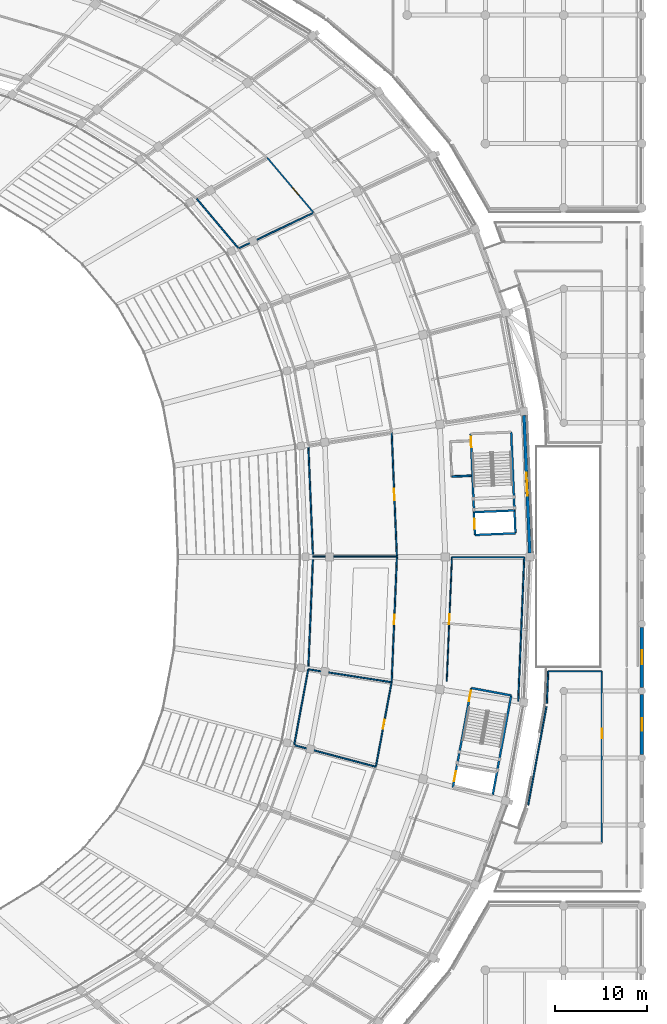
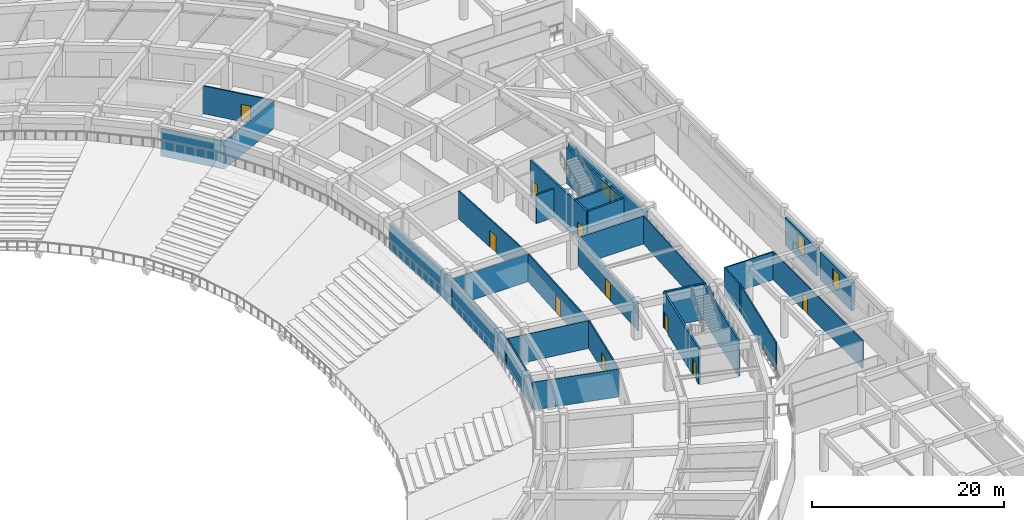
# One storey, part 106 of 152: 30 walls, 10 doors, 3 windows, 13 openings.
"""IFC4 building model written with IfcOpenShell, lengths in metres."""

from ifc_helpers import new_model, si_unit, direction, frame, frame_2d, origin, place, context, subcontext, project, spatial, rectangle, extrude, material, layer, layer_set, type_object, element, fill, save


model = new_model("IFC4")

# Units and contexts
model_context = context("Model", 3, precision=1e-05, world=origin(), true_north=direction((0.0, 1.0)))
body_context = subcontext(model_context, "Body", "Model", "MODEL_VIEW")
ifc_project = project(units=[si_unit("LENGTHUNIT", "METRE"), si_unit("AREAUNIT", "SQUARE_METRE"), si_unit("VOLUMEUNIT", "CUBIC_METRE"), si_unit("PLANEANGLEUNIT", "RADIAN"), si_unit("MASSUNIT", "GRAM", prefix="KILO")], contexts=[model_context])

# Site, building, storey
site_placement = place(None, origin())
site = spatial("IfcSite", under=ifc_project, at=site_placement, CompositionType="ELEMENT")
building_placement = place(site_placement, origin())
building = spatial("IfcBuilding", under=site, at=building_placement, Name="Mphavela Belvedere Stadium", CompositionType="ELEMENT")
storey_placement = place(building_placement, frame((0.0, 0.0, 5.39990234375)))
storey = spatial("IfcBuildingStorey", under=building, at=storey_placement, Name="L01", CompositionType="ELEMENT", Elevation=5.39990234375)

# Walls
ifc_material_1 = material(Name="Concrete C40/50", Category="concrete")
ifc_layer_1 = layer(ifc_material_1, 0.219970703125)
ifc_layer_set_1 = layer_set([ifc_layer_1], Name="Concrete C40/50")
wall_type_1 = type_object("IfcWallType", Name="WAL-CORE-SHEAR-220", PredefinedType="SHEAR", material=ifc_layer_set_1)
wall_1_placement = place(storey_placement, frame((215.771728515625, 100.585205078125, 0.0), z_axis=(0.0, 0.0, 1.0), x_axis=(0.041871977473, -0.999122984173, 0.0)))
element("IfcWall", 1, at=wall_1_placement, inside=storey, type_object=wall_type_1, Name="Core C01 shear wall L01 rear", PredefinedType="SHEAR", context=body_context, shape_type="SweptSolid", body=[
    extrude(rectangle(XDim=11.02001953125, YDim=0.219970703125, at=frame_2d((5.510009765625, 0.0))), origin(), (0.0, 0.0, 1.0), 4.550048828125),
])
wall_2_placement = place(storey_placement, frame((211.826904296875, 89.39013671875, 0.0), z_axis=(0.0, 0.0, 1.0), x_axis=(0.999121521721, 0.041906859039, 0.0)))
element("IfcWall", 2, at=wall_2_placement, inside=storey, type_object=wall_type_1, Name="Core C01 shear wall L01 right", PredefinedType="SHEAR", context=body_context, shape_type="SweptSolid", body=[
    extrude(rectangle(XDim=4.41015625, YDim=0.219970703125, at=frame_2d((2.205078125, 0.0))), origin(), (0.0, 0.0, 1.0), 4.550048828125),
])

# Wall, openings, doors
wall_3_placement = place(storey_placement, frame((211.365478515625, 100.400390625, 0.0), z_axis=(0.0, 0.0, 1.0), x_axis=(0.041871977473, -0.999122984173, 0.0)))
wall_3 = element("IfcWall", 3, at=wall_3_placement, inside=storey, type_object=wall_type_1, Name="Core C01 shear wall L01 front", PredefinedType="SHEAR", context=body_context, shape_type="SweptSolid", body=[
    extrude(rectangle(XDim=11.02001953125, YDim=0.219970703125, at=frame_2d((5.510009765625, 0.0))), origin(), (0.0, 0.0, 1.0), 4.550048828125),
])
opening_1_placement = place(wall_3_placement, frame((0.300048828125, 0.0, 0.0)))
opening_1 = element("IfcOpeningElement", 4, at=opening_1_placement, cuts=wall_3, Name="Opening SD-002", PredefinedType="OPENING", context=body_context, shape_type="SweptSolid", body=[
    extrude(rectangle(XDim=1.14990234375, YDim=2.14990234375, at=frame_2d((0.574951171875, 1.074951171875))), frame((0.0, 0.1201171875, 0.0), z_axis=(0.0, -1.0, 0.0), x_axis=(1.0, 0.0, 0.0)), (0.0, 0.0, 1.0), 0.239990234375),
])
opening_2_placement = place(wall_3_placement, frame((9.22998046875, 0.0, 0.0)))
opening_2 = element("IfcOpeningElement", 5, at=opening_2_placement, cuts=wall_3, Name="Opening LD-002", PredefinedType="OPENING", context=body_context, shape_type="SweptSolid", body=[
    extrude(rectangle(XDim=1.10009765625, YDim=2.14990234375, at=frame_2d((0.550048828125, 1.074951171875))), frame((0.0, 0.1201171875, 0.0), z_axis=(0.0, -1.0, 0.0), x_axis=(1.0, 0.0, 0.0)), (0.0, 0.0, 1.0), 0.239990234375),
])
ifc_material_2 = material(Name="Stainless steel center-parting lift landing door", Category="steel")
door_type_1 = type_object("IfcDoorType", Name="DR-LIFT-SLIDE-1100", OperationType="NOTDEFINED", PredefinedType="DOOR", material=ifc_material_2)
door_1_placement = place(opening_2_placement, origin())
door_1 = element("IfcDoor", 6, at=door_1_placement, inside=storey, type_object=door_type_1, Name="Lift landing sliding door FL01 L01", OperationType="DOUBLE_DOOR_SLIDING", OverallHeight=2.14990234375, OverallWidth=1.10009765625, PredefinedType="DOOR", context=body_context, shape_type="SweptSolid", body=[
    extrude(rectangle(XDim=1.10009765625, YDim=2.14990234375, at=frame_2d((0.550048828125, 1.074951171875))), frame((0.0, 0.02490234375, 0.0), z_axis=(0.0, -1.0, 0.0), x_axis=(1.0, 0.0, 0.0)), (0.0, 0.0, 1.0), 0.050048828125),
])
fill(opening_2, door_1)
ifc_material_3 = material(Name="Steel acoustic fire-resisting stair doorset", Category="steel")
door_type_2 = type_object("IfcDoorType", Name="DR-STAIR-FIRE-1150", OperationType="NOTDEFINED", PredefinedType="DOOR", material=ifc_material_3)
door_2_placement = place(opening_1_placement, origin())
door_2 = element("IfcDoor", 7, at=door_2_placement, inside=storey, type_object=door_type_2, Name="Escape stair fire door C01 L01", OperationType="SINGLE_SWING_LEFT", OverallHeight=2.14990234375, OverallWidth=1.14990234375, PredefinedType="DOOR", context=body_context, shape_type="SweptSolid", body=[
    extrude(rectangle(XDim=1.14990234375, YDim=2.14990234375, at=frame_2d((0.574951171875, 1.074951171875))), frame((0.0, 0.02490234375, 0.0), z_axis=(0.0, -1.0, 0.0), x_axis=(1.0, 0.0, 0.0)), (0.0, 0.0, 1.0), 0.050048828125),
])
fill(opening_1, door_2)

# Walls
wall_4_placement = place(storey_placement, frame((211.72314453125, 91.867919921875, 0.0), z_axis=(0.0, 0.0, 1.0), x_axis=(0.999121521721, 0.041906859039, 0.0)))
element("IfcWall", 8, at=wall_4_placement, inside=storey, type_object=wall_type_1, Name="Core C01 shear wall L01 div", PredefinedType="SHEAR", context=body_context, shape_type="SweptSolid", body=[
    extrude(rectangle(XDim=4.41015625, YDim=0.219970703125, at=frame_2d((2.205078125, 0.0))), origin(), (0.0, 0.0, 1.0), 4.550048828125),
])
wall_5_placement = place(storey_placement, frame((215.771728515625, 71.914794921875, 0.0), z_axis=(0.0, 0.0, 1.0), x_axis=(-0.182574755222, -0.983191974517, 0.0)))
element("IfcWall", 9, at=wall_5_placement, inside=storey, type_object=wall_type_1, Name="Core C12 shear wall L01 rear", PredefinedType="SHEAR", context=body_context, shape_type="SweptSolid", body=[
    extrude(rectangle(XDim=11.02001953125, YDim=0.219970703125, at=frame_2d((5.510009765625, 0.0))), origin(), (0.0, 0.0, 1.0), 4.550048828125),
])
wall_6_placement = place(storey_placement, frame((211.43603515625, 72.72021484375, 0.0), z_axis=(0.0, 0.0, 1.0), x_axis=(0.983179789985, -0.182640358532, 0.0)))
element("IfcWall", 10, at=wall_6_placement, inside=storey, type_object=wall_type_1, Name="Core C12 shear wall L01 left", PredefinedType="SHEAR", context=body_context, shape_type="SweptSolid", body=[
    extrude(rectangle(XDim=4.409912109375, YDim=0.219970703125, at=frame_2d((2.205078125, 0.0))), origin(), (0.0, 0.0, 1.0), 4.550048828125),
])

# Wall, openings, doors
wall_7_placement = place(storey_placement, frame((211.43603515625, 72.72021484375, 0.0), z_axis=(0.0, 0.0, 1.0), x_axis=(-0.182570778451, -0.983192712979, 0.0)))
wall_7 = element("IfcWall", 11, at=wall_7_placement, inside=storey, type_object=wall_type_1, Name="Core C12 shear wall L01 front", PredefinedType="SHEAR", context=body_context, shape_type="SweptSolid", body=[
    extrude(rectangle(XDim=11.020263671875, YDim=0.219970703125, at=frame_2d((5.51025390625, 0.0))), origin(), (0.0, 0.0, 1.0), 4.550048828125),
])
opening_3_placement = place(wall_7_placement, frame((0.300048828125, 0.0, 0.0)))
opening_3 = element("IfcOpeningElement", 12, at=opening_3_placement, cuts=wall_7, Name="Opening SD-063", PredefinedType="OPENING", context=body_context, shape_type="SweptSolid", body=[
    extrude(rectangle(XDim=1.14990234375, YDim=2.14990234375, at=frame_2d((0.574951171875, 1.074951171875))), frame((0.0, 0.1201171875, 0.0), z_axis=(0.0, -1.0, 0.0), x_axis=(1.0, 0.0, 0.0)), (0.0, 0.0, 1.0), 0.239990234375),
])
opening_4_placement = place(wall_7_placement, frame((9.22998046875, 0.0, 0.0)))
opening_4 = element("IfcOpeningElement", 13, at=opening_4_placement, cuts=wall_7, Name="Opening LD-063", PredefinedType="OPENING", context=body_context, shape_type="SweptSolid", body=[
    extrude(rectangle(XDim=1.10009765625, YDim=2.14990234375, at=frame_2d((0.550048828125, 1.074951171875))), frame((0.0, 0.1201171875, 0.0), z_axis=(0.0, -1.0, 0.0), x_axis=(1.0, 0.0, 0.0)), (0.0, 0.0, 1.0), 0.239990234375),
])
door_3_placement = place(opening_4_placement, origin())
door_3 = element("IfcDoor", 14, at=door_3_placement, inside=storey, type_object=door_type_1, Name="Lift landing sliding door PL06 L01", OperationType="DOUBLE_DOOR_SLIDING", OverallHeight=2.14990234375, OverallWidth=1.10009765625, PredefinedType="DOOR", context=body_context, shape_type="SweptSolid", body=[
    extrude(rectangle(XDim=1.10009765625, YDim=2.14990234375, at=frame_2d((0.550048828125, 1.074951171875))), frame((0.0, 0.02490234375, 0.0), z_axis=(0.0, -1.0, 0.0), x_axis=(1.0, 0.0, 0.0)), (0.0, 0.0, 1.0), 0.050048828125),
])
fill(opening_4, door_3)
door_4_placement = place(opening_3_placement, origin())
door_4 = element("IfcDoor", 15, at=door_4_placement, inside=storey, type_object=door_type_2, Name="Escape stair fire door C12 L01", OperationType="SINGLE_SWING_LEFT", OverallHeight=2.14990234375, OverallWidth=1.14990234375, PredefinedType="DOOR", context=body_context, shape_type="SweptSolid", body=[
    extrude(rectangle(XDim=1.14990234375, YDim=2.14990234375, at=frame_2d((0.574951171875, 1.074951171875))), frame((0.0, 0.02490234375, 0.0), z_axis=(0.0, -1.0, 0.0), x_axis=(1.0, 0.0, 0.0)), (0.0, 0.0, 1.0), 0.050048828125),
])
fill(opening_3, door_4)

# Wall, opening, window
ifc_material_4 = material(Name="Honed ashlar limestone masonry", Category="masonry")
ifc_layer_2 = layer(ifc_material_4, 0.35009765625)
ifc_layer_set_2 = layer_set([ifc_layer_2], Name="Honed ashlar limestone masonry")
wall_type_2 = type_object("IfcWallType", Name="WAL-EXT-ASHLAR-350", PredefinedType="STANDARD", material=ifc_layer_set_2)
wall_8_placement = place(storey_placement, frame((217.80224609375, 87.422607421875, 0.0), z_axis=(0.0, 0.0, 1.0), x_axis=(-0.041907194538, 0.999121507649, 0.0)))
wall_8 = element("IfcWall", 16, at=wall_8_placement, inside=storey, type_object=wall_type_2, Name="Classical ashlar facade wall L01-01", PredefinedType="STANDARD", context=body_context, shape_type="SweptSolid", body=[
    extrude(rectangle(XDim=15.012939453125, YDim=0.35009765625, at=frame_2d((7.50634765625, 0.0))), origin(), (0.0, 0.0, 1.0), 3.570068359375),
])
opening_5_placement = place(wall_8_placement, frame((6.24658203125, 0.0, 0.89990234375)))
opening_5 = element("IfcOpeningElement", 17, at=opening_5_placement, cuts=wall_8, Name="Opening W-011", PredefinedType="OPENING", context=body_context, shape_type="SweptSolid", body=[
    extrude(rectangle(XDim=2.52001953125, YDim=1.550048828125, at=frame_2d((1.260009765625, 0.77490234375))), frame((0.0, 0.18505859375, 0.0), z_axis=(0.0, -1.0, 0.0), x_axis=(1.0, 0.0, 0.0)), (0.0, 0.0, 1.0), 0.3701171875),
])
ifc_material_5 = material(Name="Bronze-anodised thermally broken aluminium window", Category="aluminium")
window_type_1 = type_object("IfcWindowType", Name="WIN-EXT-11", PartitioningType="SINGLE_PANEL", PredefinedType="WINDOW", material=ifc_material_5)
window_1_placement = place(opening_5_placement, origin())
window_1 = element("IfcWindow", 18, at=window_1_placement, inside=storey, type_object=window_type_1, Name="Belvedere gallery window W-011", OverallHeight=1.550048828125, OverallWidth=2.52001953125, PartitioningType="SINGLE_PANEL", PredefinedType="WINDOW", context=body_context, shape_type="SweptSolid", body=[
    extrude(rectangle(XDim=2.52001953125, YDim=1.550048828125, at=frame_2d((1.260009765625, 0.77490234375))), frame((0.0, 0.030029296875, 0.0), z_axis=(0.0, -1.0, 0.0), x_axis=(1.0, 0.0, 0.0)), (0.0, 0.0, 1.0), 0.06005859375),
])
fill(opening_5, window_1)

wall_9_placement = place(storey_placement, frame((230.0, 72.001953125, 0.0), z_axis=(0.0, 0.0, 1.0), x_axis=(0.0, -1.0, 0.0)))
wall_9 = element("IfcWall", 19, at=wall_9_placement, inside=storey, type_object=wall_type_2, Name="East Planted Eaves Peristyle Colonnade outer facade bay L01-03", PredefinedType="STANDARD", context=body_context, shape_type="SweptSolid", body=[
    extrude(rectangle(XDim=6.50390625, YDim=0.35009765625, at=frame_2d((3.251953125, 0.0))), origin(), (0.0, 0.0, 1.0), 3.56005859375),
])
opening_6_placement = place(wall_9_placement, frame((2.56201171875, 0.0, 0.89990234375)))
opening_6 = element("IfcOpeningElement", 20, at=opening_6_placement, cuts=wall_9, Name="Opening W-300", PredefinedType="OPENING", context=body_context, shape_type="SweptSolid", body=[
    extrude(rectangle(XDim=1.3798828125, YDim=2.14990234375, at=frame_2d((0.68994140625, 1.074951171875))), frame((0.0, 0.18505859375, 0.0), z_axis=(0.0, -1.0, 0.0), x_axis=(1.0, 0.0, 0.0)), (0.0, 0.0, 1.0), 0.3701171875),
])
ifc_material_6 = material(Name="Bronze-anodised thermally broken aluminium window", Category="aluminium")
window_type_2 = type_object("IfcWindowType", Name="WIN-EXT-36", PartitioningType="SINGLE_PANEL", PredefinedType="WINDOW", material=ifc_material_6)
window_2_placement = place(opening_6_placement, origin())
window_2 = element("IfcWindow", 21, at=window_2_placement, inside=storey, type_object=window_type_2, Name="East Planted Eaves Peristyle Colonnade classical window W-300", OverallHeight=2.14990234375, OverallWidth=1.3798828125, PartitioningType="SINGLE_PANEL", PredefinedType="WINDOW", context=body_context, shape_type="SweptSolid", body=[
    extrude(rectangle(XDim=1.3798828125, YDim=2.14990234375, at=frame_2d((0.68994140625, 1.074951171875))), frame((0.0, 0.030029296875, 0.0), z_axis=(0.0, -1.0, 0.0), x_axis=(1.0, 0.0, 0.0)), (0.0, 0.0, 1.0), 0.06005859375),
])
fill(opening_6, window_2)

wall_10_placement = place(storey_placement, frame((230.0, 79.302001953125, 0.0), z_axis=(0.0, 0.0, 1.0), x_axis=(0.0, -1.0, 0.0)))
wall_10 = element("IfcWall", 22, at=wall_10_placement, inside=storey, type_object=wall_type_2, Name="East Planted Eaves Peristyle Colonnade outer facade bay L01-04", PredefinedType="STANDARD", context=body_context, shape_type="SweptSolid", body=[
    extrude(rectangle(XDim=6.50390625, YDim=0.35009765625, at=frame_2d((3.251953125, 0.0))), origin(), (0.0, 0.0, 1.0), 3.56005859375),
])
opening_7_placement = place(wall_10_placement, frame((2.491943359375, 0.0, 0.89990234375)))
opening_7 = element("IfcOpeningElement", 23, at=opening_7_placement, cuts=wall_10, Name="Opening W-301", PredefinedType="OPENING", context=body_context, shape_type="SweptSolid", body=[
    extrude(rectangle(XDim=1.52001953125, YDim=2.14990234375, at=frame_2d((0.760009765625, 1.074951171875))), frame((0.0, 0.18505859375, 0.0), z_axis=(0.0, -1.0, 0.0), x_axis=(1.0, 0.0, 0.0)), (0.0, 0.0, 1.0), 0.3701171875),
])
ifc_material_7 = material(Name="Bronze-anodised thermally broken aluminium window", Category="aluminium")
window_type_3 = type_object("IfcWindowType", Name="WIN-EXT-37", PartitioningType="SINGLE_PANEL", PredefinedType="WINDOW", material=ifc_material_7)
window_3_placement = place(opening_7_placement, origin())
window_3 = element("IfcWindow", 24, at=window_3_placement, inside=storey, type_object=window_type_3, Name="East Planted Eaves Peristyle Colonnade classical window W-301", OverallHeight=2.14990234375, OverallWidth=1.52001953125, PartitioningType="SINGLE_PANEL", PredefinedType="WINDOW", context=body_context, shape_type="SweptSolid", body=[
    extrude(rectangle(XDim=1.52001953125, YDim=2.14990234375, at=frame_2d((0.760009765625, 1.074951171875))), frame((0.0, 0.030029296875, 0.0), z_axis=(0.0, -1.0, 0.0), x_axis=(1.0, 0.0, 0.0)), (0.0, 0.0, 1.0), 0.06005859375),
])
fill(opening_7, window_3)

# Wall, opening, door
ifc_material_8 = material(Name="Moisture-resistant sanitary partition assembly")
ifc_layer_3 = layer(ifc_material_8, 0.125)
ifc_layer_set_3 = layer_set([ifc_layer_3], Name="Moisture-resistant sanitary partition assembly")
wall_type_3 = type_object("IfcWallType", Name="WAL-PART-125", PredefinedType="PARTITIONING", material=ifc_layer_set_3)
wall_11_placement = place(storey_placement, frame((208.756103515625, 73.4619140625, 0.0), z_axis=(0.0, 0.0, 1.0), x_axis=(0.04192519436, 0.999120752501, 0.0)))
wall_11 = element("IfcWall", 25, at=wall_11_placement, inside=storey, type_object=wall_type_3, Name="Room L01-161 corridor partition", PredefinedType="PARTITIONING", context=body_context, shape_type="SweptSolid", body=[
    extrude(rectangle(XDim=13.510009765625, YDim=0.125, at=frame_2d((6.7548828125, 0.0))), origin(), (0.0, 0.0, 1.0), 3.550048828125),
])
opening_8_placement = place(wall_11_placement, frame((6.205078125, 0.0, 0.0)))
opening_8 = element("IfcOpeningElement", 26, at=opening_8_placement, cuts=wall_11, Name="Opening ID-162", PredefinedType="OPENING", context=body_context, shape_type="SweptSolid", body=[
    extrude(rectangle(XDim=1.10009765625, YDim=2.199951171875, at=frame_2d((0.550048828125, 1.10009765625))), frame((0.0, 0.072509765625, 0.0), z_axis=(0.0, -1.0, 0.0), x_axis=(1.0, 0.0, 0.0)), (0.0, 0.0, 1.0), 0.14501953125),
])
ifc_material_9 = material(Name="Hardwood acoustic timber doorset", Category="wood")
door_type_3 = type_object("IfcDoorType", Name="DR-INT-18", OperationType="NOTDEFINED", PredefinedType="DOOR", material=ifc_material_9)
door_5_placement = place(opening_8_placement, origin())
door_5 = element("IfcDoor", 27, at=door_5_placement, inside=storey, type_object=door_type_3, Name="Room L01-161 entrance door ID-162", OperationType="SINGLE_SWING_RIGHT", OverallHeight=2.199951171875, OverallWidth=1.10009765625, PredefinedType="DOOR", context=body_context, shape_type="SweptSolid", body=[
    extrude(rectangle(XDim=1.10009765625, YDim=2.199951171875, at=frame_2d((0.550048828125, 1.10009765625))), frame((0.0, 0.02490234375, 0.0), z_axis=(0.0, -1.0, 0.0), x_axis=(1.0, 0.0, 0.0)), (0.0, 0.0, 1.0), 0.050048828125),
])
fill(opening_8, door_5)

ifc_material_10 = material(Name="Acoustic gypsum stud partition assembly")
ifc_layer_4 = layer(ifc_material_10, 0.14990234375)
ifc_layer_set_4 = layer_set([ifc_layer_4], Name="Acoustic gypsum stud partition assembly")
wall_type_4 = type_object("IfcWallType", Name="WAL-PART-150", PredefinedType="PARTITIONING", material=ifc_layer_set_4)
wall_12_placement = place(storey_placement, frame((202.7578125, 100.5712890625, 0.0), z_axis=(0.0, 0.0, 1.0), x_axis=(0.041894479342, -0.999122040894, 0.0)))
wall_12 = element("IfcWall", 28, at=wall_12_placement, inside=storey, type_object=wall_type_4, Name="Room L01-34 corridor partition", PredefinedType="PARTITIONING", context=body_context, shape_type="SweptSolid", body=[
    extrude(rectangle(XDim=13.543212890625, YDim=0.14990234375, at=frame_2d((6.771484375, 0.0))), origin(), (0.0, 0.0, 1.0), 3.550048828125),
])
opening_9_placement = place(wall_12_placement, frame((6.1416015625, 0.0, 0.0)))
opening_9 = element("IfcOpeningElement", 29, at=opening_9_placement, cuts=wall_12, Name="Opening ID-082", PredefinedType="OPENING", context=body_context, shape_type="SweptSolid", body=[
    extrude(rectangle(XDim=1.260009765625, YDim=2.10009765625, at=frame_2d((0.6298828125, 1.050048828125))), frame((0.0, 0.0849609375, 0.0), z_axis=(0.0, -1.0, 0.0), x_axis=(1.0, 0.0, 0.0)), (0.0, 0.0, 1.0), 0.169921875),
])
ifc_material_11 = material(Name="Hardwood acoustic timber doorset", Category="wood")
door_type_4 = type_object("IfcDoorType", Name="DR-INT-10", OperationType="NOTDEFINED", PredefinedType="DOOR", material=ifc_material_11)
door_6_placement = place(opening_9_placement, origin())
door_6 = element("IfcDoor", 30, at=door_6_placement, inside=storey, type_object=door_type_4, Name="Room L01-34 entrance door ID-082", OperationType="SINGLE_SWING_RIGHT", OverallHeight=2.10009765625, OverallWidth=1.260009765625, PredefinedType="DOOR", context=body_context, shape_type="SweptSolid", body=[
    extrude(rectangle(XDim=1.260009765625, YDim=2.10009765625, at=frame_2d((0.6298828125, 1.050048828125))), frame((0.0, 0.02490234375, 0.0), z_axis=(0.0, -1.0, 0.0), x_axis=(1.0, 0.0, 0.0)), (0.0, 0.0, 1.0), 0.050048828125),
])
fill(opening_9, door_6)

wall_13_placement = place(storey_placement, frame((189.193115234375, 130.481689453125, 0.0), z_axis=(0.0, 0.0, 1.0), x_axis=(0.645180817826, -0.764029915847, 0.0)))
wall_13 = element("IfcWall", 31, at=wall_13_placement, inside=storey, type_object=wall_type_4, Name="Room L01-45 corridor partition", PredefinedType="PARTITIONING", context=body_context, shape_type="SweptSolid", body=[
    extrude(rectangle(XDim=7.779296875, YDim=0.14990234375, at=frame_2d((3.8896484375, 0.0))), origin(), (0.0, 0.0, 1.0), 3.550048828125),
])
opening_10_placement = place(wall_13_placement, frame((4.271484375, 0.0, 0.0)))
opening_10 = element("IfcOpeningElement", 32, at=opening_10_placement, cuts=wall_13, Name="Opening ID-089", PredefinedType="OPENING", context=body_context, shape_type="SweptSolid", body=[
    extrude(rectangle(XDim=1.06005859375, YDim=2.199951171875, at=frame_2d((0.530029296875, 1.10009765625))), frame((0.0, 0.0849609375, 0.0), z_axis=(0.0, -1.0, 0.0), x_axis=(1.0, 0.0, 0.0)), (0.0, 0.0, 1.0), 0.169921875),
])
ifc_material_12 = material(Name="Hardwood acoustic timber doorset", Category="wood")
door_type_5 = type_object("IfcDoorType", Name="DR-INT-17", OperationType="NOTDEFINED", PredefinedType="DOOR", material=ifc_material_12)
door_7_placement = place(opening_10_placement, origin())
door_7 = element("IfcDoor", 33, at=door_7_placement, inside=storey, type_object=door_type_5, Name="Room L01-45 entrance door ID-089", OperationType="SINGLE_SWING_LEFT", OverallHeight=2.199951171875, OverallWidth=1.06005859375, PredefinedType="DOOR", context=body_context, shape_type="SweptSolid", body=[
    extrude(rectangle(XDim=1.06005859375, YDim=2.199951171875, at=frame_2d((0.530029296875, 1.10009765625))), frame((0.0, 0.02490234375, 0.0), z_axis=(0.0, -1.0, 0.0), x_axis=(1.0, 0.0, 0.0)), (0.0, 0.0, 1.0), 0.050048828125),
])
fill(opening_10, door_7)

wall_14_placement = place(storey_placement, frame((202.748779296875, 73.34912109375, 0.0), z_axis=(0.0, 0.0, 1.0), x_axis=(-0.182600545941, -0.983187184936, 0.0)))
wall_14 = element("IfcWall", 34, at=wall_14_placement, inside=storey, type_object=wall_type_4, Name="Room L01-158 corridor partition", PredefinedType="PARTITIONING", context=body_context, shape_type="SweptSolid", body=[
    extrude(rectangle(XDim=9.2841796875, YDim=0.14990234375, at=frame_2d((4.64208984375, 0.0))), origin(), (0.0, 0.0, 1.0), 3.550048828125),
])
opening_11_placement = place(wall_14_placement, frame((4.132080078125, 0.0, 0.0)))
opening_11 = element("IfcOpeningElement", 35, at=opening_11_placement, cuts=wall_14, Name="Opening ID-160", PredefinedType="OPENING", context=body_context, shape_type="SweptSolid", body=[
    extrude(rectangle(XDim=1.02001953125, YDim=2.199951171875, at=frame_2d((0.510009765625, 1.10009765625))), frame((0.0, 0.0849609375, 0.0), z_axis=(0.0, -1.0, 0.0), x_axis=(1.0, 0.0, 0.0)), (0.0, 0.0, 1.0), 0.169921875),
])
ifc_material_13 = material(Name="Hardwood acoustic timber doorset", Category="wood")
door_type_6 = type_object("IfcDoorType", Name="DR-INT-16", OperationType="NOTDEFINED", PredefinedType="DOOR", material=ifc_material_13)
door_8_placement = place(opening_11_placement, origin())
door_8 = element("IfcDoor", 36, at=door_8_placement, inside=storey, type_object=door_type_6, Name="Room L01-158 entrance door ID-160", OperationType="SINGLE_SWING_RIGHT", OverallHeight=2.199951171875, OverallWidth=1.02001953125, PredefinedType="DOOR", context=body_context, shape_type="SweptSolid", body=[
    extrude(rectangle(XDim=1.02001953125, YDim=2.199951171875, at=frame_2d((0.510009765625, 1.10009765625))), frame((0.0, 0.02490234375, 0.0), z_axis=(0.0, -1.0, 0.0), x_axis=(1.0, 0.0, 0.0)), (0.0, 0.0, 1.0), 0.050048828125),
])
fill(opening_11, door_8)

wall_15_placement = place(storey_placement, frame((203.3251953125, 86.9599609375, 0.0), z_axis=(0.0, 0.0, 1.0), x_axis=(-0.041894479342, -0.999122040894, 0.0)))
wall_15 = element("IfcWall", 37, at=wall_15_placement, inside=storey, type_object=wall_type_4, Name="Room L01-160 corridor partition", PredefinedType="PARTITIONING", context=body_context, shape_type="SweptSolid", body=[
    extrude(rectangle(XDim=13.543212890625, YDim=0.14990234375, at=frame_2d((6.771484375, 0.0))), origin(), (0.0, 0.0, 1.0), 3.550048828125),
])
opening_12_placement = place(wall_15_placement, frame((6.24169921875, 0.0, 0.0)))
opening_12 = element("IfcOpeningElement", 38, at=opening_12_placement, cuts=wall_15, Name="Opening ID-161", PredefinedType="OPENING", context=body_context, shape_type="SweptSolid", body=[
    extrude(rectangle(XDim=1.06005859375, YDim=2.199951171875, at=frame_2d((0.530029296875, 1.10009765625))), frame((0.0, 0.0849609375, 0.0), z_axis=(0.0, -1.0, 0.0), x_axis=(1.0, 0.0, 0.0)), (0.0, 0.0, 1.0), 0.169921875),
])
door_9_placement = place(opening_12_placement, origin())
door_9 = element("IfcDoor", 39, at=door_9_placement, inside=storey, type_object=door_type_5, Name="Room L01-160 entrance door ID-161", OperationType="SINGLE_SWING_LEFT", OverallHeight=2.199951171875, OverallWidth=1.06005859375, PredefinedType="DOOR", context=body_context, shape_type="SweptSolid", body=[
    extrude(rectangle(XDim=1.06005859375, YDim=2.199951171875, at=frame_2d((0.530029296875, 1.10009765625))), frame((0.0, 0.02490234375, 0.0), z_axis=(0.0, -1.0, 0.0), x_axis=(1.0, 0.0, 0.0)), (0.0, 0.0, 1.0), 0.050048828125),
])
fill(opening_12, door_9)

wall_16_placement = place(storey_placement, frame((225.639892578125, 74.550048828125, 0.0), z_axis=(0.0, 0.0, 1.0), x_axis=(0.0, -1.0, 0.0)))
wall_16 = element("IfcWall", 40, at=wall_16_placement, inside=storey, type_object=wall_type_4, Name="Room L01-202 corridor partition", PredefinedType="PARTITIONING", context=body_context, shape_type="SweptSolid", body=[
    extrude(rectangle(XDim=18.68994140625, YDim=0.14990234375, at=frame_2d((9.344970703125, 0.0))), origin(), (0.0, 0.0, 1.0), 3.550048828125),
])
opening_13_placement = place(wall_16_placement, frame((6.280517578125, 0.0, 0.0)))
opening_13 = element("IfcOpeningElement", 41, at=opening_13_placement, cuts=wall_16, Name="Opening ID-544", PredefinedType="OPENING", context=body_context, shape_type="SweptSolid", body=[
    extrude(rectangle(XDim=1.02001953125, YDim=2.10009765625, at=frame_2d((0.510009765625, 1.050048828125))), frame((0.0, 0.0849609375, 0.0), z_axis=(0.0, -1.0, 0.0), x_axis=(1.0, 0.0, 0.0)), (0.0, 0.0, 1.0), 0.169921875),
])
ifc_material_14 = material(Name="Hardwood acoustic timber doorset", Category="wood")
door_type_7 = type_object("IfcDoorType", Name="DR-INT-04", OperationType="NOTDEFINED", PredefinedType="DOOR", material=ifc_material_14)
door_10_placement = place(opening_13_placement, origin())
door_10 = element("IfcDoor", 42, at=door_10_placement, inside=storey, type_object=door_type_7, Name="Room L01-202 entrance door ID-544", OperationType="SINGLE_SWING_RIGHT", OverallHeight=2.10009765625, OverallWidth=1.02001953125, PredefinedType="DOOR", context=body_context, shape_type="SweptSolid", body=[
    extrude(rectangle(XDim=1.02001953125, YDim=2.10009765625, at=frame_2d((0.510009765625, 1.050048828125))), frame((0.0, 0.02490234375, 0.0), z_axis=(0.0, -1.0, 0.0), x_axis=(1.0, 0.0, 0.0)), (0.0, 0.0, 1.0), 0.050048828125),
])
fill(opening_13, door_10)

# Walls
wall_17_placement = place(storey_placement, frame((194.1904296875, 87.0400390625, 0.0), z_axis=(0.0, 0.0, 1.0), x_axis=(-0.041909219346, 0.999121422718, 0.0)))
element("IfcWall", 43, at=wall_17_placement, inside=storey, type_object=wall_type_4, Name="Room divider partition L01-0138", PredefinedType="PARTITIONING", context=body_context, shape_type="SweptSolid", body=[
    extrude(rectangle(XDim=12.134521484375, YDim=0.14990234375, at=frame_2d((6.0673828125, 0.0))), origin(), (0.0, 0.0, 1.0), 3.550048828125),
])
wall_18_placement = place(storey_placement, frame((203.3251953125, 87.0400390625, 0.0), z_axis=(0.0, 0.0, 1.0), x_axis=(-1.0, 0.0, 0.0)))
element("IfcWall", 44, at=wall_18_placement, inside=storey, type_object=wall_type_4, Name="Room divider partition L01-0140", PredefinedType="PARTITIONING", context=body_context, shape_type="SweptSolid", body=[
    extrude(rectangle(XDim=9.134765625, YDim=0.14990234375, at=frame_2d((4.5673828125, 0.0))), origin(), (0.0, 0.0, 1.0), 3.550048828125),
])
wall_19_placement = place(storey_placement, frame((186.065673828125, 120.593505859375, 0.0), z_axis=(0.0, 0.0, 1.0), x_axis=(0.903860081227, 0.427828182292, 0.0)))
element("IfcWall", 45, at=wall_19_placement, inside=storey, type_object=wall_type_4, Name="Room divider partition L01-0150", PredefinedType="PARTITIONING", context=body_context, shape_type="SweptSolid", body=[
    extrude(rectangle(XDim=9.06591796875, YDim=0.14990234375, at=frame_2d((4.532958984375, 0.0))), origin(), (0.0, 0.0, 1.0), 3.550048828125),
])
wall_20_placement = place(storey_placement, frame((186.02001953125, 120.660400390625, 0.0), z_axis=(0.0, 0.0, 1.0), x_axis=(-0.64516899819, 0.764039896716, 0.0)))
element("IfcWall", 46, at=wall_20_placement, inside=storey, type_object=wall_type_4, Name="Room divider partition L01-0153", PredefinedType="PARTITIONING", context=body_context, shape_type="SweptSolid", body=[
    extrude(rectangle(XDim=6.966552734375, YDim=0.14990234375, at=frame_2d((3.4833984375, 0.0))), origin(), (0.0, 0.0, 1.0), 3.550048828125),
])
wall_21_placement = place(storey_placement, frame((192.133056640625, 66.50390625, 0.0), z_axis=(0.0, 0.0, 1.0), x_axis=(0.96658744027, -0.256337122383, 0.0)))
element("IfcWall", 47, at=wall_21_placement, inside=storey, type_object=wall_type_4, Name="Room divider partition L01-0280", PredefinedType="PARTITIONING", context=body_context, shape_type="SweptSolid", body=[
    extrude(rectangle(XDim=9.20703125, YDim=0.14990234375, at=frame_2d((4.603515625, 0.0))), origin(), (0.0, 0.0, 1.0), 3.550048828125),
])
wall_22_placement = place(storey_placement, frame((192.154052734375, 66.5810546875, 0.0), z_axis=(0.0, 0.0, 1.0), x_axis=(0.182614898171, 0.983184519287, 0.0)))
element("IfcWall", 48, at=wall_22_placement, inside=storey, type_object=wall_type_4, Name="Room divider partition L01-0281", PredefinedType="PARTITIONING", context=body_context, shape_type="SweptSolid", body=[
    extrude(rectangle(XDim=8.315673828125, YDim=0.14990234375, at=frame_2d((4.15771484375, 0.0))), origin(), (0.0, 0.0, 1.0), 3.550048828125),
])
wall_23_placement = place(storey_placement, frame((193.672607421875, 74.7568359375, 0.0), z_axis=(0.0, 0.0, 1.0), x_axis=(0.988184734008, -0.15326751604, 0.0)))
element("IfcWall", 49, at=wall_23_placement, inside=storey, type_object=wall_type_4, Name="Room divider partition L01-0282", PredefinedType="PARTITIONING", context=body_context, shape_type="SweptSolid", body=[
    extrude(rectangle(XDim=9.1845703125, YDim=0.14990234375, at=frame_2d((4.59228515625, 0.0))), origin(), (0.0, 0.0, 1.0), 3.550048828125),
])
wall_24_placement = place(storey_placement, frame((193.681884765625, 74.836181640625, 0.0), z_axis=(0.0, 0.0, 1.0), x_axis=(0.041909219346, 0.999121422718, 0.0)))
element("IfcWall", 50, at=wall_24_placement, inside=storey, type_object=wall_type_4, Name="Room divider partition L01-0283", PredefinedType="PARTITIONING", context=body_context, shape_type="SweptSolid", body=[
    extrude(rectangle(XDim=12.134521484375, YDim=0.14990234375, at=frame_2d((6.0673828125, 0.0))), origin(), (0.0, 0.0, 1.0), 3.550048828125),
])
wall_25_placement = place(storey_placement, frame((217.1962890625, 86.9599609375, 0.0), z_axis=(0.0, 0.0, 1.0), x_axis=(-0.041907682199, -0.999121487194, 0.0)))
element("IfcWall", 51, at=wall_25_placement, inside=storey, type_object=wall_type_4, Name="Room divider partition L01-0284", PredefinedType="PARTITIONING", context=body_context, shape_type="SweptSolid", body=[
    extrude(rectangle(XDim=15.6826171875, YDim=0.14990234375, at=frame_2d((7.84130859375, 0.0))), origin(), (0.0, 0.0, 1.0), 3.550048828125),
])
wall_26_placement = place(storey_placement, frame((209.322509765625, 86.9599609375, 0.0), z_axis=(0.0, 0.0, 1.0), x_axis=(1.0, 0.0, 0.0)))
element("IfcWall", 52, at=wall_26_placement, inside=storey, type_object=wall_type_4, Name="Room divider partition L01-0285", PredefinedType="PARTITIONING", context=body_context, shape_type="SweptSolid", body=[
    extrude(rectangle(XDim=7.873779296875, YDim=0.14990234375, at=frame_2d((3.93701171875, 0.0))), origin(), (0.0, 0.0, 1.0), 3.550048828125),
])
wall_27_placement = place(storey_placement, frame((217.62255859375, 59.98095703125, 0.0), z_axis=(0.0, 0.0, 1.0), x_axis=(0.182620957058, 0.983183393901, 0.0)))
element("IfcWall", 53, at=wall_27_placement, inside=storey, type_object=wall_type_4, Name="Room divider partition L01-1238", PredefinedType="PARTITIONING", context=body_context, shape_type="SweptSolid", body=[
    extrude(rectangle(XDim=10.90087890625, YDim=0.14990234375, at=frame_2d((5.450439453125, 0.0))), origin(), (0.0, 0.0, 1.0), 3.550048828125),
])
wall_28_placement = place(storey_placement, frame((219.6533203125, 71.05029296875, 0.0), z_axis=(0.0, 0.0, 1.0), x_axis=(0.041888559174, 0.999122289117, 0.0)))
element("IfcWall", 54, at=wall_28_placement, inside=storey, type_object=wall_type_4, Name="Room divider partition L01-1239", PredefinedType="PARTITIONING", context=body_context, shape_type="SweptSolid", body=[
    extrude(rectangle(XDim=3.5029296875, YDim=0.14990234375, at=frame_2d((1.75146484375, 0.0))), origin(), (0.0, 0.0, 1.0), 3.550048828125),
])
wall_29_placement = place(storey_placement, frame((219.800048828125, 74.550048828125, 0.0), z_axis=(0.0, 0.0, 1.0), x_axis=(1.0, 0.0, 0.0)))
element("IfcWall", 55, at=wall_29_placement, inside=storey, type_object=wall_type_4, Name="Room divider partition L01-1240", PredefinedType="PARTITIONING", context=body_context, shape_type="SweptSolid", body=[
    extrude(rectangle(XDim=5.83984375, YDim=0.14990234375, at=frame_2d((2.919921875, 0.0))), origin(), (0.0, 0.0, 1.0), 3.550048828125),
])
ifc_material_15 = material(Name="Fire-rated calcium silicate partition assembly")
ifc_layer_5 = layer(ifc_material_15, 0.199951171875)
ifc_layer_set_5 = layer_set([ifc_layer_5], Name="Fire-rated calcium silicate partition assembly")
wall_type_5 = type_object("IfcWallType", Name="WAL-PART-FF-200", PredefinedType="PARTITIONING", material=ifc_layer_set_5)
wall_30_placement = place(storey_placement, frame((209.3134765625, 95.75048828125, 0.0), z_axis=(0.0, 0.0, 1.0), x_axis=(0.999121056799, 0.041917941987, 0.0)))
element("IfcWall", 56, at=wall_30_placement, inside=storey, type_object=wall_type_5, Name="Firefighting lobby side wall R C01 L01", PredefinedType="PARTITIONING", context=body_context, shape_type="SweptSolid", body=[
    extrude(rectangle(XDim=2.1201171875, YDim=0.199951171875, at=frame_2d((1.06005859375, 0.0))), origin(), (0.0, 0.0, 1.0), 3.650146484375),
])

save(model, "model.ifc")
